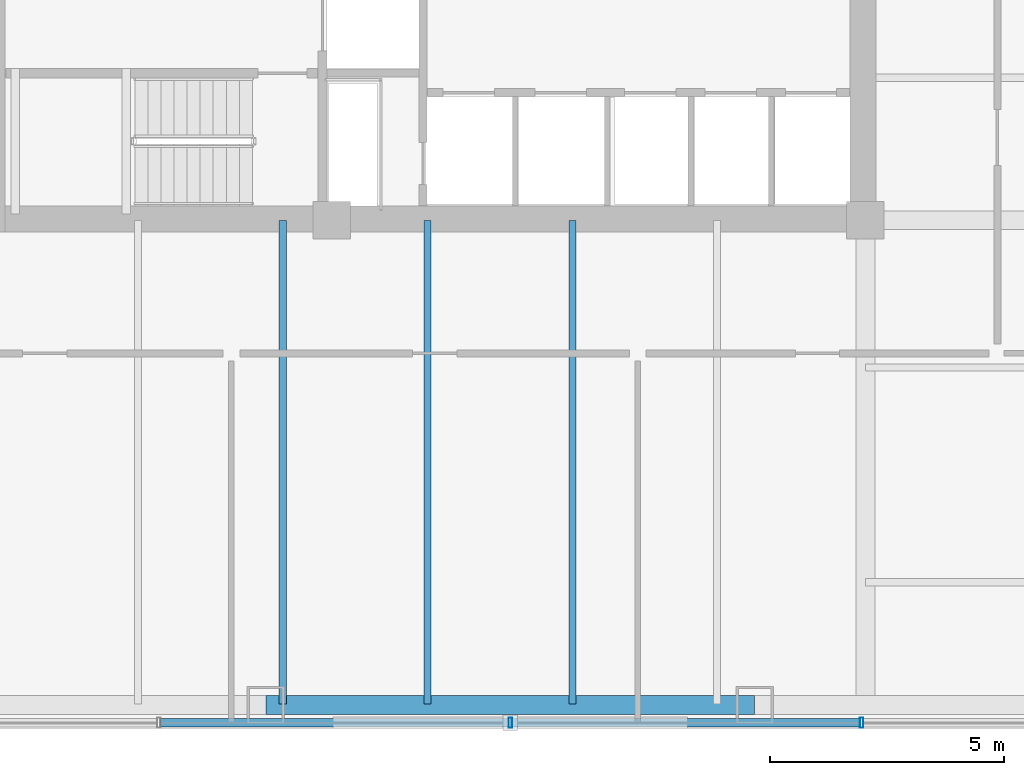
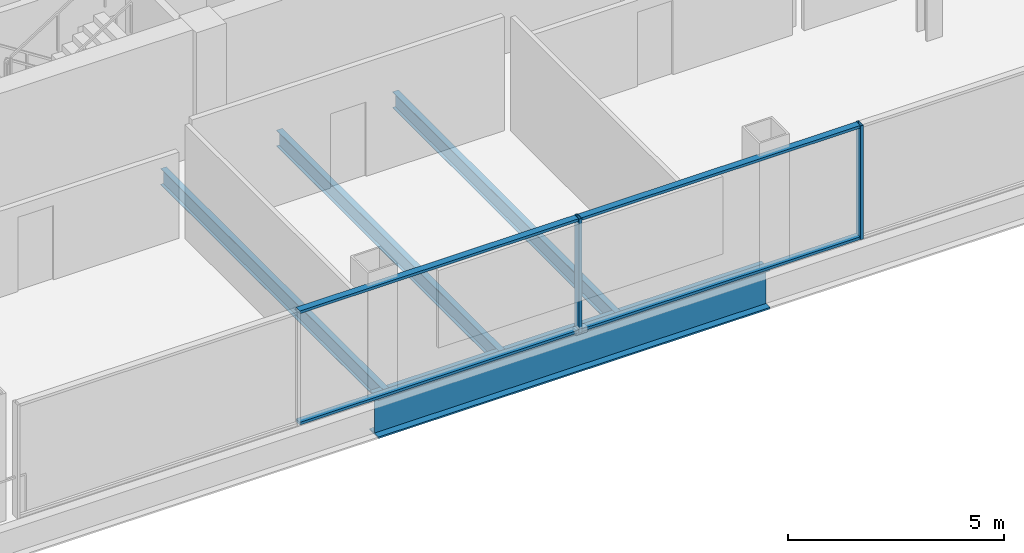
# One storey, part 5 of 24: 6 members, 4 beams, 1 element without a shape of its own.
"""IFC4 building model written with IfcOpenShell, lengths in metres."""

from ifc_helpers import new_model, si_unit, direction, frame, origin, origin_2d, place, context, subcontext, project, spatial, hollow_rectangle, i_section, extrude, material, layer, layer_set, material_profile, profile_set, type_object, element, aggregate, save


model = new_model("IFC4")

# Units and contexts
model_context = context("Model", 3, precision=1e-05, world=origin(), true_north=direction((0.0, 1.0)))
body_context = subcontext(model_context, "Body", "Model", "MODEL_VIEW")
ifc_project = project(units=[si_unit("LENGTHUNIT", "METRE"), si_unit("AREAUNIT", "SQUARE_METRE"), si_unit("VOLUMEUNIT", "CUBIC_METRE"), si_unit("PLANEANGLEUNIT", "RADIAN"), si_unit("MASSUNIT", "GRAM", prefix="KILO")], contexts=[model_context])

# Site, building, storey
site_placement = place(None, origin())
site = spatial("IfcSite", under=ifc_project, at=site_placement, CompositionType="ELEMENT")
building_placement = place(site_placement, origin())
building = spatial("IfcBuilding", under=site, at=building_placement, Name="Qhalaya Broadcast Tower", CompositionType="ELEMENT")
storey_placement = place(building_placement, frame((0.0, 0.0, 61.5)))
storey = spatial("IfcBuildingStorey", under=building, at=storey_placement, Name="L17", CompositionType="ELEMENT", Elevation=61.5)

# Beams
ifc_material_1 = material(Name="Structural Steel ASTM A992 Grade 50", Category="steel")
ifc_material_profile_1 = material_profile(ifc_material_1, i_section(OverallWidth=0.154052734375, OverallDepth=0.458984375, WebThickness=0.009033203125, FlangeThickness=0.015380859375, at=origin_2d()), Name="W18X46")
ifc_profile_set_1 = profile_set([ifc_material_profile_1], Name="Structural Steel ASTM A992 Grade 50")
beam_type_1 = type_object("IfcBeamType", Name="Composite Floor Joist J04", PredefinedType="JOIST", material=ifc_profile_set_1)
for number, where, z_axis, x_axis, name in (
    (1, (-3.10009765625, -19.110107421875, -0.449462890625), (0.0, 1.0, 0.0), (-1.0, 0.0, 0.0), "L17 J04 L17-JNS2-1"),
    (2, (0.0, -19.110107421875, -0.449462890625), (0.0, 1.0, 0.0), (-1.0, 0.0, 0.0), "L17 J04 L17-JNS3-1"),
    (3, (3.10009765625, -19.110107421875, -0.449462890625), (0.0, 1.0, 0.0), (-1.0, 0.0, 0.0), "L17 J04 L17-JNS4-1"),
):
    element("IfcBeam", number, at=place(storey_placement, frame(where, z_axis=z_axis, x_axis=x_axis)), inside=storey, type_object=beam_type_1, Name=name, PredefinedType="JOIST", context=body_context, shape_type="SweptSolid", body=[
        extrude(i_section(OverallWidth=0.154052734375, OverallDepth=0.458984375, WebThickness=0.009033203125, FlangeThickness=0.015380859375, at=origin_2d()), origin(), (0.0, 0.0, 1.0), 10.360107421875),
    ])
ifc_material_profile_2 = material_profile(ifc_material_1, i_section(OverallWidth=0.404052734375, OverallDepth=1.117919921875, WebThickness=0.026123046875, FlangeThickness=0.044921875, at=origin_2d()), Name="W44X335")
ifc_profile_set_2 = profile_set([ifc_material_profile_2], Name="Structural Steel ASTM A992 Grade 50")
beam_type_2 = type_object("IfcBeamType", Name="Podium Long-Span Primary Girder PG1", PredefinedType="USERDEFINED", material=ifc_profile_set_2)
beam_placement = place(storey_placement, frame((-3.46337890625, -19.1298828125, -0.779052734375), z_axis=(1.0, 0.0, 0.0), x_axis=(0.0, 1.0, 0.0)))
element("IfcBeam", 4, at=beam_placement, inside=storey, type_object=beam_type_2, Name="L17 PG1 L17-SPR-02", ObjectType="GIRDER", PredefinedType="USERDEFINED", context=body_context, shape_type="SweptSolid", body=[
    extrude(i_section(OverallWidth=0.404052734375, OverallDepth=1.117919921875, WebThickness=0.026123046875, FlangeThickness=0.044921875, at=origin_2d()), origin(), (0.0, 0.0, 1.0), 10.466796875),
])

# Curtain wall, members
ifc_material_2 = material(Name="Solar-Control Low-E Triple Glazing", Category="glass")
ifc_layer = layer(ifc_material_2, 0.219970703125, Name="Solar-Control Low-E Triple Glazing")
ifc_layer_set = layer_set([ifc_layer], Name="Solar-Control Low-E Triple Glazing")
curtain_wall_type = type_object("IfcCurtainWallType", Name="Recessed Sky-Garden Neck Ribbon Curtain Wall CW-05", PredefinedType="NOTDEFINED", material=ifc_layer_set)
curtain_wall_placement = place(storey_placement, origin())
curtain_wall = element("IfcCurtainWall", 5, at=curtain_wall_placement, inside=storey, type_object=curtain_wall_type, Name="L17 Unitised Curtain Wall L17-CW-S", PredefinedType="NOTDEFINED")
ifc_material_3 = material(Name="Anodised Aluminium 6063-T6", Category="aluminium")
ifc_material_profile_3 = material_profile(ifc_material_3, hollow_rectangle(XDim=0.074951171875, YDim=0.219970703125, WallThickness=0.00390625, at=origin_2d()), Name="ALU-MUL 75x220x4")
ifc_profile_set_3 = profile_set([ifc_material_profile_3], Name="Anodised Aluminium 6063-T6")
member_type_1 = type_object("IfcMemberType", Name="Unitised Curtain-Wall Mullion M01", PredefinedType="MULLION", material=ifc_profile_set_3)
member_1_placement = place(storey_placement, frame((1.77001953125, -19.510009765625, 0.0), z_axis=(0.0, 0.0, 1.0), x_axis=(1.0, 0.0, 0.0)))
member_1 = element("IfcMember", 6, at=member_1_placement, type_object=member_type_1, Name="CW-05 mullion 3", PredefinedType="MULLION", context=body_context, shape_type="SweptSolid", body=[
    extrude(hollow_rectangle(XDim=0.074951171875, YDim=0.219970703125, WallThickness=0.00390625, at=origin_2d()), origin(), (0.0, 0.0, 1.0), 3.219970703125),
])
member_2_placement = place(storey_placement, frame((9.294921875, -19.510009765625, 0.0), z_axis=(0.0, 0.0, 1.0), x_axis=(1.0, 0.0, 0.0)))
member_2 = element("IfcMember", 7, at=member_2_placement, type_object=member_type_1, Name="CW-05 mullion 4", PredefinedType="MULLION", context=body_context, shape_type="SweptSolid", body=[
    extrude(hollow_rectangle(XDim=0.074951171875, YDim=0.219970703125, WallThickness=0.00390625, at=origin_2d()), origin(), (0.0, 0.0, 1.0), 3.219970703125),
])
ifc_material_profile_4 = material_profile(ifc_material_3, hollow_rectangle(XDim=0.074951171875, YDim=0.179931640625, WallThickness=0.00390625, at=origin_2d()), Name="ALU-TRN 75x180x4")
ifc_profile_set_4 = profile_set([ifc_material_profile_4], Name="Anodised Aluminium 6063-T6")
member_type_2 = type_object("IfcMemberType", Name="Unitised Curtain-Wall Transom T01", PredefinedType="USERDEFINED", material=ifc_profile_set_4)
member_3_placement = place(storey_placement, frame((-5.717529296875, -19.510009765625, 0.03759765625), z_axis=(1.0, 0.0, 0.0), x_axis=(0.0, 0.0, 1.0)))
member_3 = element("IfcMember", 8, at=member_3_placement, type_object=member_type_2, Name="CW-05 transom 2.1", ObjectType="TRANSOM", PredefinedType="USERDEFINED", context=body_context, shape_type="SweptSolid", body=[
    extrude(hollow_rectangle(XDim=0.074951171875, YDim=0.179931640625, WallThickness=0.00390625, at=origin_2d()), origin(), (0.0, 0.0, 1.0), 7.449951171875),
])
member_4_placement = place(storey_placement, frame((-5.717529296875, -19.510009765625, 3.1826171875), z_axis=(1.0, 0.0, 0.0), x_axis=(0.0, 0.0, 1.0)))
member_4 = element("IfcMember", 9, at=member_4_placement, type_object=member_type_2, Name="CW-05 transom 2.2", ObjectType="TRANSOM", PredefinedType="USERDEFINED", context=body_context, shape_type="SweptSolid", body=[
    extrude(hollow_rectangle(XDim=0.074951171875, YDim=0.179931640625, WallThickness=0.00390625, at=origin_2d()), origin(), (0.0, 0.0, 1.0), 7.449951171875),
])
member_5_placement = place(storey_placement, frame((1.8076171875, -19.510009765625, 0.03759765625), z_axis=(1.0, 0.0, 0.0), x_axis=(0.0, 0.0, 1.0)))
member_5 = element("IfcMember", 10, at=member_5_placement, type_object=member_type_2, Name="CW-05 transom 3.1", ObjectType="TRANSOM", PredefinedType="USERDEFINED", context=body_context, shape_type="SweptSolid", body=[
    extrude(hollow_rectangle(XDim=0.074951171875, YDim=0.179931640625, WallThickness=0.00390625, at=origin_2d()), origin(), (0.0, 0.0, 1.0), 7.449951171875),
])
member_6_placement = place(storey_placement, frame((1.8076171875, -19.510009765625, 3.1826171875), z_axis=(1.0, 0.0, 0.0), x_axis=(0.0, 0.0, 1.0)))
member_6 = element("IfcMember", 11, at=member_6_placement, type_object=member_type_2, Name="CW-05 transom 3.2", ObjectType="TRANSOM", PredefinedType="USERDEFINED", context=body_context, shape_type="SweptSolid", body=[
    extrude(hollow_rectangle(XDim=0.074951171875, YDim=0.179931640625, WallThickness=0.00390625, at=origin_2d()), origin(), (0.0, 0.0, 1.0), 7.449951171875),
])
aggregate(curtain_wall, [member_1, member_2, member_3, member_4, member_5, member_6])

save(model, "model.ifc")
